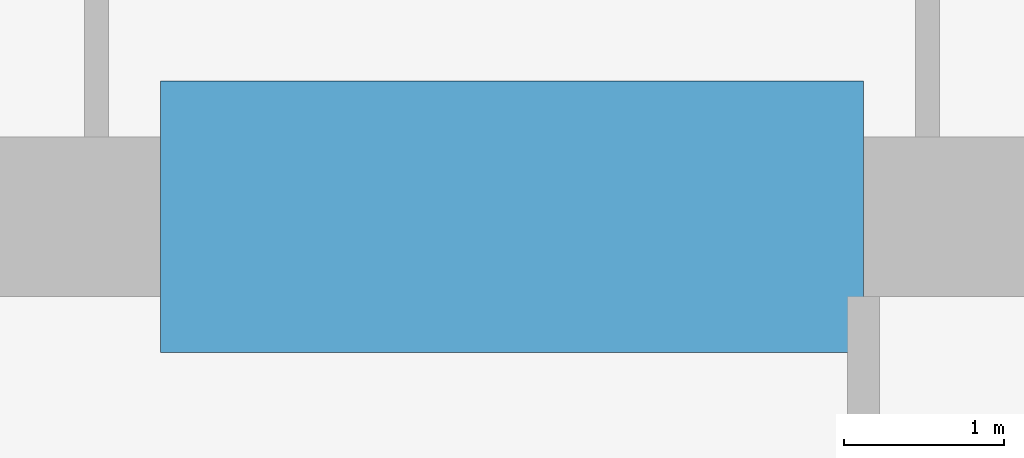
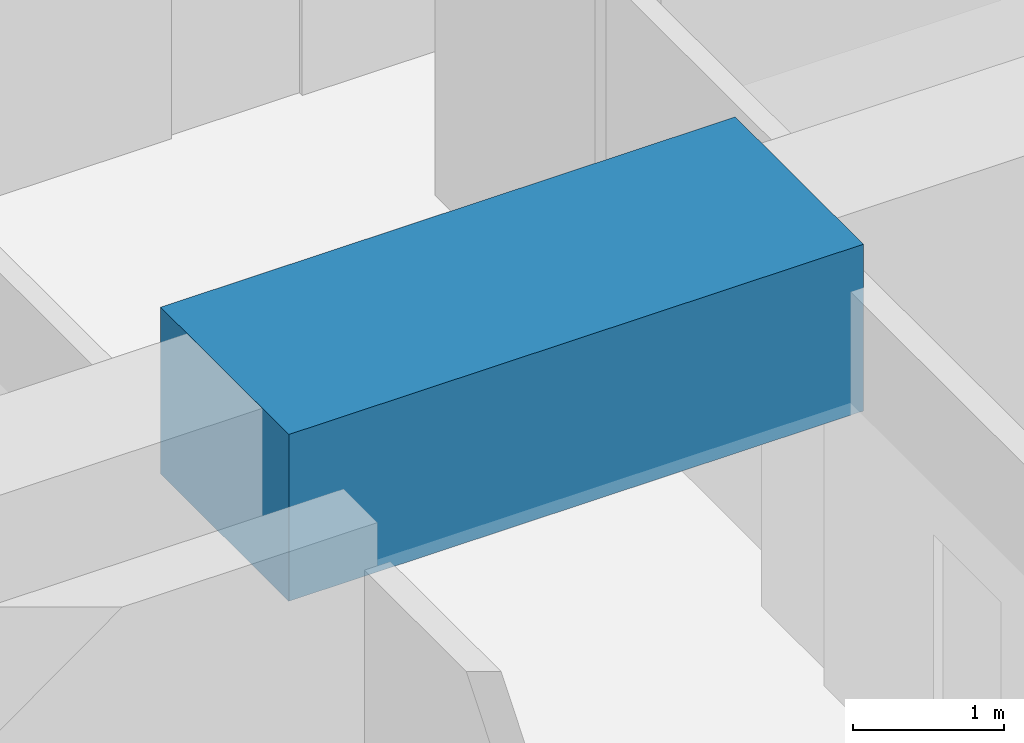
# One storey, part 18 of 38: 1 beam.
"""IFC4 building model written with IfcOpenShell, lengths in metres."""

from ifc_helpers import new_model, si_unit, direction, frame, origin, origin_2d, place, context, subcontext, project, spatial, rectangle, extrude, material, material_profile, profile_set, type_object, element, save


model = new_model("IFC4")

# Units and contexts
model_context = context("Model", 3, precision=1e-05, world=origin(), true_north=direction((0.0, 1.0)))
body_context = subcontext(model_context, "Body", "Model", "MODEL_VIEW")
ifc_project = project(units=[si_unit("LENGTHUNIT", "METRE"), si_unit("AREAUNIT", "SQUARE_METRE"), si_unit("VOLUMEUNIT", "CUBIC_METRE"), si_unit("PLANEANGLEUNIT", "RADIAN"), si_unit("MASSUNIT", "GRAM", prefix="KILO")], contexts=[model_context])

# Site, building, storey
site_placement = place(None, origin())
site = spatial("IfcSite", under=ifc_project, at=site_placement, CompositionType="ELEMENT")
building_placement = place(site_placement, origin())
building = spatial("IfcBuilding", under=site, at=building_placement, Name="Rekha Terrace Tower", CompositionType="ELEMENT")
storey_placement = place(building_placement, frame((0.0, 0.0, 159.050048828125)))
storey = spatial("IfcBuildingStorey", under=building, at=storey_placement, Name="L40", CompositionType="ELEMENT", Elevation=159.050048828125)

# Beam
ifc_material = material(Name="Concrete M70", Category="concrete")
ifc_material_profile = material_profile(ifc_material, rectangle(XDim=1.699951171875, YDim=1.35009765625, at=origin_2d()), Name="RC 1700x1350")
ifc_profile_set = profile_set([ifc_material_profile], Name="Concrete M70")
beam_type = type_object("IfcBeamType", Name="LB2A 1700x1350 diagonally reinforced coupling beam", PredefinedType="LINTEL", material=ifc_profile_set)
beam_placement = place(storey_placement, frame((35.60009765625, 46.199951171875, 3.074951171875), z_axis=(1.0, 0.0, 0.0), x_axis=(0.0, 1.0, 0.0)))
element("IfcBeam", 1, at=beam_placement, inside=storey, type_object=beam_type, Name="Coupling beam LB2A N L40", PredefinedType="LINTEL", context=body_context, shape_type="SweptSolid", body=[
    extrude(rectangle(XDim=1.699951171875, YDim=1.35009765625, at=origin_2d()), origin(), (0.0, 0.0, 1.0), 4.39990234375),
])

save(model, "model.ifc")
